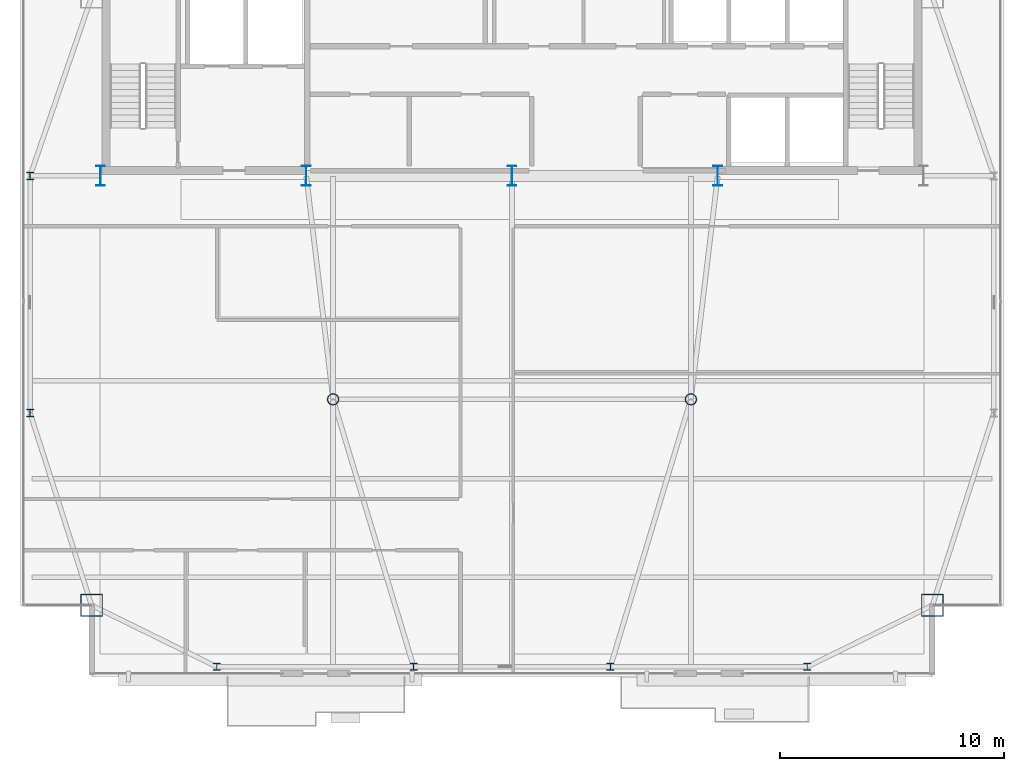
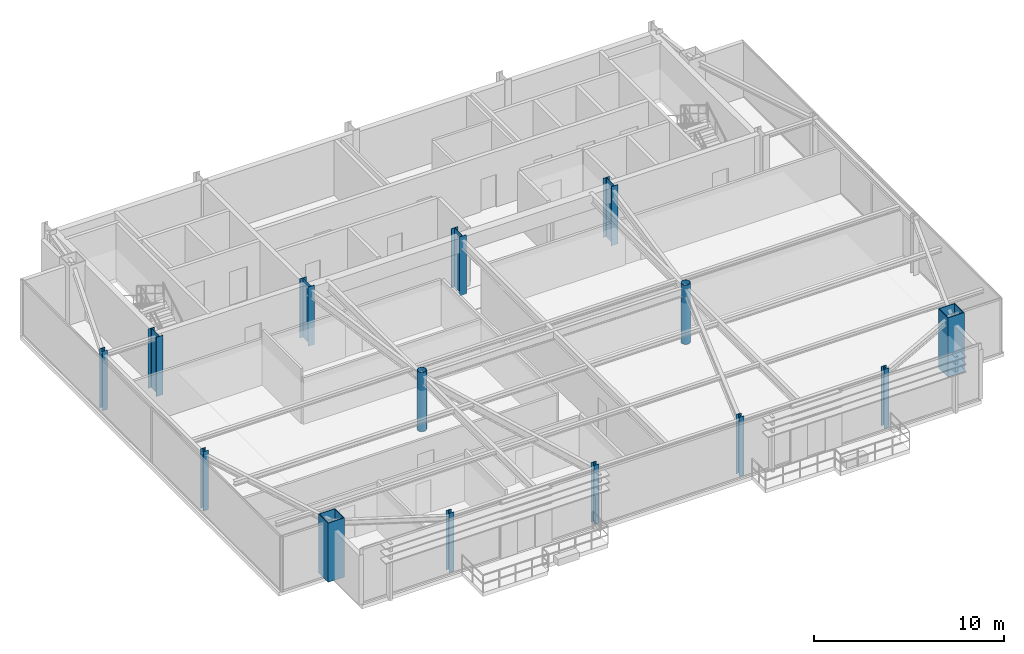
# One storey, part 1 of 24: 14 columns.
"""IFC4 building model written with IfcOpenShell, lengths in metres."""

from ifc_helpers import new_model, si_unit, direction, frame, origin, origin_2d, place, context, subcontext, project, spatial, hollow_rectangle, hollow_circle, i_section, extrude, source, transform, mapped, material, material_profile, profile_set, type_object, type_shapes, element, save


model = new_model("IFC4")

# Units and contexts
model_context = context("Model", 3, precision=1e-05, world=origin(), true_north=direction((0.0, 1.0)))
body_context = subcontext(model_context, "Body", "Model", "MODEL_VIEW")
ifc_project = project(units=[si_unit("LENGTHUNIT", "METRE"), si_unit("AREAUNIT", "SQUARE_METRE"), si_unit("VOLUMEUNIT", "CUBIC_METRE"), si_unit("PLANEANGLEUNIT", "RADIAN"), si_unit("MASSUNIT", "GRAM", prefix="KILO")], contexts=[model_context])

# Site, building, storey
site_placement = place(None, origin())
site = spatial("IfcSite", under=ifc_project, at=site_placement, CompositionType="ELEMENT")
building_placement = place(site_placement, origin())
building = spatial("IfcBuilding", under=site, at=building_placement, Name="Varnel Quay Broadcast Tower", CompositionType="ELEMENT")
storey_placement = place(building_placement, frame((0.0, 0.0, 281.199951171875)))
storey = spatial("IfcBuildingStorey", under=building, at=storey_placement, Name="L70", CompositionType="ELEMENT", Elevation=281.199951171875)

# Columns
ifc_material_1 = material(Name="Structural Steel CSA G40.21 350WT", Category="steel")
ifc_material_profile_1 = material_profile(ifc_material_1, i_section(OverallWidth=0.39990234375, OverallDepth=0.89990234375, WebThickness=0.01611328125, FlangeThickness=0.028076171875, FilletRadius=0.01611328125, at=origin_2d()), Name="WWF900X309")
ifc_profile_set_1 = profile_set([ifc_material_profile_1], Name="Structural Steel CSA G40.21 350WT")
column_type_1 = type_object("IfcColumnType", Name="Col_WWF900X309", PredefinedType="COLUMN", material=ifc_profile_set_1)
shared_shape_1 = source(origin(), body_context, "Body", "SweptSolid", [
    extrude(i_section(OverallWidth=0.39990234375, OverallDepth=0.89990234375, WebThickness=0.01611328125, FlangeThickness=0.028076171875, FilletRadius=0.01611328125, at=origin_2d()), origin(), (0.0, 0.0, 1.0), 3.800048828125),
])
type_shapes(column_type_1, [shared_shape_1])
for number, where, z_axis, x_axis, name in (
    (1, (15.60009765625, 35.60009765625, 0.0), (0.0, 0.0, 1.0), (1.0, 0.0, 0.0), "L70 Column CC-S1"),
    (2, (24.800048828125, 35.60009765625, 0.0), (0.0, 0.0, 1.0), (1.0, 0.0, 0.0), "L70 Column CC-S2"),
    (3, (34.0, 35.60009765625, 0.0), (0.0, 0.0, 1.0), (1.0, 0.0, 0.0), "L70 Column CC-S3"),
    (4, (43.199951171875, 35.60009765625, 0.0), (0.0, 0.0, 1.0), (1.0, 0.0, 0.0), "L70 Column CC-S4"),
):
    element("IfcColumn", number, at=place(storey_placement, frame(where, z_axis=z_axis, x_axis=x_axis)), inside=storey, type_object=column_type_1, Name=name, PredefinedType="COLUMN", context=body_context, shape_type="MappedRepresentation", body=[
        mapped(shared_shape_1, transform((0.0, 0.0, 0.0), x_axis=(1.0, 0.0, 0.0), y_axis=(0.0, 1.0, 0.0), z_axis=(0.0, 0.0, 1.0), scale=1.0)),
    ])
ifc_material_profile_2 = material_profile(ifc_material_1, hollow_rectangle(XDim=1.0, YDim=1.0, WallThickness=0.0400390625, at=origin_2d()), Name="BOX1000X1000X40")
ifc_profile_set_2 = profile_set([ifc_material_profile_2], Name="Structural Steel CSA G40.21 350WT")
column_type_2 = type_object("IfcColumnType", Name="Col_BOX1000X1000X40", PredefinedType="COLUMN", material=ifc_profile_set_2)
shared_shape_2 = source(origin(), body_context, "Body", "SweptSolid", [
    extrude(hollow_rectangle(XDim=1.0, YDim=1.0, WallThickness=0.0400390625, at=origin_2d()), origin(), (0.0, 0.0, 1.0), 3.800048828125),
])
type_shapes(column_type_2, [shared_shape_2])
for number, where, z_axis, x_axis, name in (
    (5, (15.199951171875, 16.39990234375, 0.0), (0.0, 0.0, 1.0), (1.0, 0.0, 0.0), "L70 Column MC-SW"),
    (6, (52.800048828125, 16.39990234375, 0.0), (0.0, 0.0, 1.0), (1.0, 0.0, 0.0), "L70 Column MC-SE"),
):
    element("IfcColumn", number, at=place(storey_placement, frame(where, z_axis=z_axis, x_axis=x_axis)), inside=storey, type_object=column_type_2, Name=name, PredefinedType="COLUMN", context=body_context, shape_type="MappedRepresentation", body=[
        mapped(shared_shape_2, transform((0.0, 0.0, 0.0), x_axis=(1.0, 0.0, 0.0), y_axis=(0.0, 1.0, 0.0), z_axis=(0.0, 0.0, 1.0), scale=1.0)),
    ])
ifc_material_2 = material(Name="Structural Steel CSA G40.21 350W", Category="steel")
ifc_material_profile_3 = material_profile(ifc_material_2, i_section(OverallWidth=0.30908203125, OverallDepth=0.322998046875, WebThickness=0.013916015625, FlangeThickness=0.02294921875, FilletRadius=0.014892578125, at=origin_2d()), Name="W310X143")
ifc_profile_set_3 = profile_set([ifc_material_profile_3], Name="Structural Steel CSA G40.21 350W")
column_type_3 = type_object("IfcColumnType", Name="Col_W310X143", PredefinedType="COLUMN", material=ifc_profile_set_3)
shared_shape_3 = source(origin(), body_context, "Body", "SweptSolid", [
    extrude(i_section(OverallWidth=0.30908203125, OverallDepth=0.322998046875, WebThickness=0.013916015625, FlangeThickness=0.02294921875, FilletRadius=0.014892578125, at=origin_2d()), origin(), (0.0, 0.0, 1.0), 3.800048828125),
])
type_shapes(column_type_3, [shared_shape_3])
for number, where, z_axis, x_axis, name in (
    (7, (20.800048828125, 13.64990234375, 0.0), (0.0, 0.0, 1.0), (1.0, 0.0, 0.0), "L70 Column TC-S1"),
    (8, (29.60009765625, 13.64990234375, 0.0), (0.0, 0.0, 1.0), (1.0, 0.0, 0.0), "L70 Column TC-S2"),
    (9, (38.39990234375, 13.64990234375, 0.0), (0.0, 0.0, 1.0), (1.0, 0.0, 0.0), "L70 Column TC-S3"),
    (10, (47.199951171875, 13.64990234375, 0.0), (0.0, 0.0, 1.0), (1.0, 0.0, 0.0), "L70 Column TC-S4"),
    (11, (12.449951171875, 25.0, 0.0), (0.0, 0.0, 1.0), (1.0, 0.0, 0.0), "L70 Column TC-W1"),
    (12, (12.449951171875, 35.60009765625, 0.0), (0.0, 0.0, 1.0), (1.0, 0.0, 0.0), "L70 Column TC-W2"),
):
    element("IfcColumn", number, at=place(storey_placement, frame(where, z_axis=z_axis, x_axis=x_axis)), inside=storey, type_object=column_type_3, Name=name, PredefinedType="COLUMN", context=body_context, shape_type="MappedRepresentation", body=[
        mapped(shared_shape_3, transform((0.0, 0.0, 0.0), x_axis=(1.0, 0.0, 0.0), y_axis=(0.0, 1.0, 0.0), z_axis=(0.0, 0.0, 1.0), scale=1.0)),
    ])
ifc_material_profile_4 = material_profile(ifc_material_2, hollow_circle(Radius=0.25390625, WallThickness=0.02001953125, at=origin_2d()), Name="CHS508X20")
ifc_profile_set_4 = profile_set([ifc_material_profile_4], Name="Structural Steel CSA G40.21 350W")
column_type_4 = type_object("IfcColumnType", Name="Col_CHS508X20", PredefinedType="COLUMN", material=ifc_profile_set_4)
shared_shape_4 = source(origin(), body_context, "Body", "SweptSolid", [
    extrude(hollow_circle(Radius=0.25390625, WallThickness=0.02001953125, at=origin_2d()), origin(), (0.0, 0.0, 1.0), 3.800048828125),
])
type_shapes(column_type_4, [shared_shape_4])
for number, where, z_axis, x_axis, name in (
    (13, (26.0, 25.610107421875, 0.0), (0.0, 0.0, 1.0), (1.0, 0.0, 0.0), "L70 Column IC-01"),
    (14, (42.0, 25.610107421875, 0.0), (0.0, 0.0, 1.0), (1.0, 0.0, 0.0), "L70 Column IC-02"),
):
    element("IfcColumn", number, at=place(storey_placement, frame(where, z_axis=z_axis, x_axis=x_axis)), inside=storey, type_object=column_type_4, Name=name, PredefinedType="COLUMN", context=body_context, shape_type="MappedRepresentation", body=[
        mapped(shared_shape_4, transform((0.0, 0.0, 0.0), x_axis=(1.0, 0.0, 0.0), y_axis=(0.0, 1.0, 0.0), z_axis=(0.0, 0.0, 1.0), scale=1.0)),
    ])

save(model, "model.ifc")
